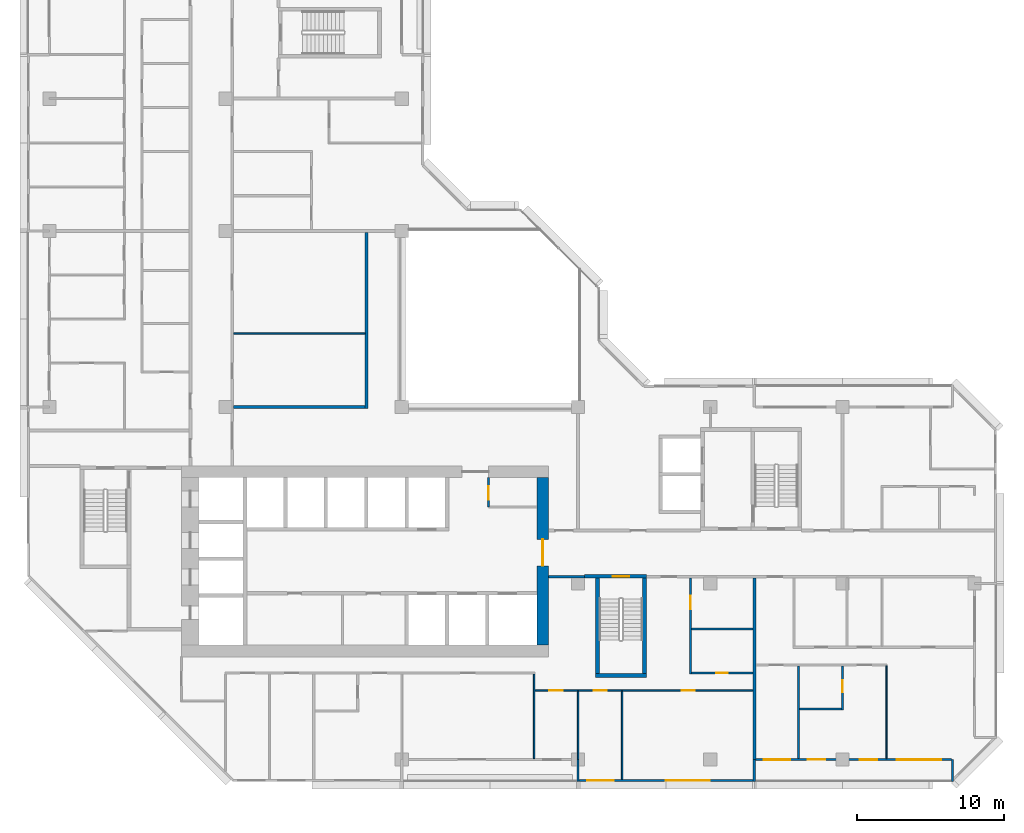
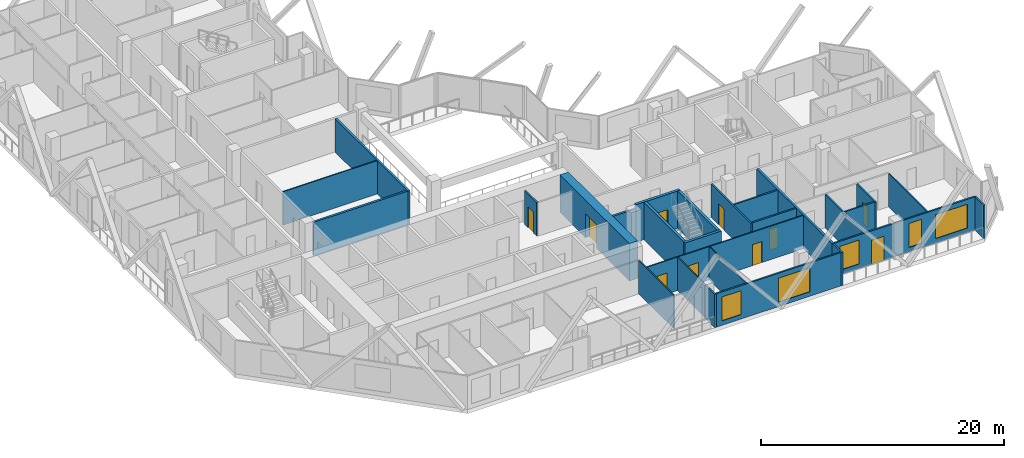
# One storey, part 6 of 15: 27 walls, 10 doors, 5 windows, 15 openings.
"""IFC4 building model written with IfcOpenShell, lengths in metres."""

from ifc_helpers import new_model, si_unit, direction, frame, frame_2d, origin, place, context, subcontext, project, spatial, rectangle, extrude, material, layer, layer_set, type_object, element, fill, save


model = new_model("IFC4")

# Units and contexts
model_context = context("Model", 3, precision=1e-05, world=origin(), true_north=direction((0.0, 1.0)))
body_context = subcontext(model_context, "Body", "Model", "MODEL_VIEW")
ifc_project = project(units=[si_unit("LENGTHUNIT", "METRE"), si_unit("AREAUNIT", "SQUARE_METRE"), si_unit("VOLUMEUNIT", "CUBIC_METRE"), si_unit("PLANEANGLEUNIT", "RADIAN"), si_unit("MASSUNIT", "GRAM", prefix="KILO")], contexts=[model_context])

# Site, building, storey
site_placement = place(None, origin())
site = spatial("IfcSite", under=ifc_project, at=site_placement, CompositionType="ELEMENT")
building_placement = place(site_placement, origin())
building = spatial("IfcBuilding", under=site, at=building_placement, Name="Chenar Terraces", CompositionType="ELEMENT")
storey_placement = place(building_placement, frame((0.0, 0.0, 172.39990234375)))
storey = spatial("IfcBuildingStorey", under=building, at=storey_placement, Name="L39", CompositionType="ELEMENT", Elevation=172.39990234375)

# Wall, opening, door
ifc_material_1 = material(Name="Gypsum board on steel studs", Category="steel")
ifc_layer_1 = layer(ifc_material_1, 0.14990234375)
ifc_layer_set_1 = layer_set([ifc_layer_1], Name="Gypsum board on steel studs")
wall_type_1 = type_object("IfcWallType", Name="Core partition 150 gypsum board", PredefinedType="PARTITIONING", material=ifc_layer_set_1)
wall_1_placement = place(storey_placement, frame((29.89990234375, 17.199951171875, 0.0), z_axis=(0.0, 0.0, 1.0), x_axis=(0.0, 1.0, 0.0)))
wall_1 = element("IfcWall", 1, at=wall_1_placement, inside=storey, type_object=wall_type_1, Name="Core partition CP1 vestibule room west wall", PredefinedType="PARTITIONING", context=body_context, shape_type="SweptSolid", body=[
    extrude(rectangle(XDim=2.0, YDim=0.14990234375, at=frame_2d((1.0, 0.0))), origin(), (0.0, 0.0, 1.0), 3.35009765625),
])
opening_1_placement = place(wall_1_placement, frame((0.5, 0.0, 0.0)))
opening_1 = element("IfcOpeningElement", 2, at=opening_1_placement, cuts=wall_1, Name="Opening DL39-C14", PredefinedType="OPENING", context=body_context, shape_type="SweptSolid", body=[
    extrude(rectangle(XDim=0.89990234375, YDim=2.10009765625, at=frame_2d((0.449951171875, 1.050048828125))), frame((0.0, 0.0849609375, 0.0), z_axis=(0.0, -1.0, 0.0), x_axis=(1.0, 0.0, 0.0)), (0.0, 0.0, 1.0), 0.169921875),
])
ifc_material_2 = material(Name="Steel-framed fire-resisting door leaf", Category="steel")
door_type_1 = type_object("IfcDoorType", Name="Riser fire door FD60 900 x 2100", OperationType="SINGLE_SWING_LEFT", PredefinedType="DOOR", material=ifc_material_2)
door_1_placement = place(opening_1_placement, frame((0.89990234375, 0.0, 0.0), z_axis=(0.0, 0.0, 1.0), x_axis=(-1.0, 0.0, 0.0)))
door_1 = element("IfcDoor", 3, at=door_1_placement, inside=storey, type_object=door_type_1, Name="Core room door DL39-C14", OperationType="SINGLE_SWING_RIGHT", OverallHeight=2.10009765625, OverallWidth=0.89990234375, PredefinedType="DOOR", context=body_context, shape_type="SweptSolid", body=[
    extrude(rectangle(XDim=0.89990234375, YDim=2.10009765625, at=frame_2d((0.449951171875, 1.050048828125))), frame((0.0, 0.02490234375, 0.0), z_axis=(0.0, -1.0, 0.0), x_axis=(1.0, 0.0, 0.0)), (0.0, 0.0, 1.0), 0.050048828125),
])
fill(opening_1, door_1)

# Wall
ifc_material_3 = material(Name="Concrete C60/75", Category="concrete")
ifc_layer_2 = layer(ifc_material_3, 0.25)
ifc_layer_set_2 = layer_set([ifc_layer_2], Name="Concrete C60/75")
wall_type_2 = type_object("IfcWallType", Name="Core wall 250 Concrete C60/75", PredefinedType="SHEAR", material=ifc_layer_set_2)
wall_2_placement = place(storey_placement, frame((37.199951171875, 5.72509765625, 0.0), z_axis=(0.0, 0.0, 1.0), x_axis=(1.0, 0.0, 0.0)))
element("IfcWall", 4, at=wall_2_placement, inside=storey, type_object=wall_type_2, Name="Core wall ST2_S L39", PredefinedType="SHEAR", context=body_context, shape_type="SweptSolid", body=[
    extrude(rectangle(XDim=3.449951171875, YDim=0.25, at=frame_2d((1.72509765625, 0.0))), origin(), (0.0, 0.0, 1.0), 3.75),
])

# Wall, opening, door
wall_3_placement = place(storey_placement, frame((36.449951171875, 12.47509765625, 0.0), z_axis=(0.0, 0.0, 1.0), x_axis=(1.0, 0.0, 0.0)))
wall_3 = element("IfcWall", 5, at=wall_3_placement, inside=storey, type_object=wall_type_2, Name="Core wall ST2_N L39", PredefinedType="SHEAR", context=body_context, shape_type="SweptSolid", body=[
    extrude(rectangle(XDim=4.199951171875, YDim=0.25, at=frame_2d((2.10009765625, 0.0))), origin(), (0.0, 0.0, 1.0), 3.75),
])
opening_2_placement = place(wall_3_placement, frame((1.925048828125, 0.0, 0.0)))
opening_2 = element("IfcOpeningElement", 6, at=opening_2_placement, cuts=wall_3, Name="Opening DL39-C7", PredefinedType="OPENING", context=body_context, shape_type="SweptSolid", body=[
    extrude(rectangle(XDim=1.10009765625, YDim=2.199951171875, at=frame_2d((0.550048828125, 1.10009765625))), frame((0.0, 0.135009765625, 0.0), z_axis=(0.0, -1.0, 0.0), x_axis=(1.0, 0.0, 0.0)), (0.0, 0.0, 1.0), 0.27001953125),
])
ifc_material_4 = material(Name="Steel-framed fire-resisting door leaf", Category="steel")
door_type_2 = type_object("IfcDoorType", Name="Stair fire door FD60 1100 x 2200", OperationType="SINGLE_SWING_LEFT", PredefinedType="DOOR", material=ifc_material_4)
door_2_placement = place(opening_2_placement, frame((1.10009765625, 0.0, 0.0), z_axis=(0.0, 0.0, 1.0), x_axis=(-1.0, 0.0, 0.0)))
door_2 = element("IfcDoor", 7, at=door_2_placement, inside=storey, type_object=door_type_2, Name="Stair door DL39-C7", OperationType="SINGLE_SWING_RIGHT", OverallHeight=2.199951171875, OverallWidth=1.10009765625, PredefinedType="DOOR", context=body_context, shape_type="SweptSolid", body=[
    extrude(rectangle(XDim=1.10009765625, YDim=2.199951171875, at=frame_2d((0.550048828125, 1.10009765625))), frame((0.0, 0.02490234375, 0.0), z_axis=(0.0, -1.0, 0.0), x_axis=(1.0, 0.0, 0.0)), (0.0, 0.0, 1.0), 0.050048828125),
])
fill(opening_2, door_2)

# Walls
for number, where, z_axis, x_axis, name in (
    (8, (37.324951171875, 5.85009765625, 0.0), (0.0, 0.0, 1.0), (0.0, 1.0, 0.0), "Core wall ST2_W L39"),
    (9, (40.52490234375, 5.85009765625, 0.0), (0.0, 0.0, 1.0), (0.0, 1.0, 0.0), "Core wall ST2_E L39"),
):
    element("IfcWall", number, at=place(storey_placement, frame(where, z_axis=z_axis, x_axis=x_axis)), inside=storey, type_object=wall_type_2, Name=name, PredefinedType="SHEAR", context=body_context, shape_type="SweptSolid", body=[
        extrude(rectangle(XDim=6.5, YDim=0.25, at=frame_2d((3.25, 0.0))), origin(), (0.0, 0.0, 1.0), 3.75),
    ])

# Wall, opening, door
ifc_material_5 = material(Name="Concrete C60/75", Category="concrete")
ifc_layer_3 = layer(ifc_material_5, 0.800048828125)
ifc_layer_set_3 = layer_set([ifc_layer_3], Name="Concrete C60/75")
wall_type_3 = type_object("IfcWallType", Name="Core wall 800 Concrete C60/75", PredefinedType="SHEAR", material=ifc_layer_set_3)
wall_4_placement = place(storey_placement, frame((33.60009765625, 7.800048828125, 0.0), z_axis=(0.0, 0.0, 1.0), x_axis=(0.0, 1.0, 0.0)))
wall_4 = element("IfcWall", 10, at=wall_4_placement, inside=storey, type_object=wall_type_3, Name="Core wall E L39", PredefinedType="SHEAR", context=body_context, shape_type="SweptSolid", body=[
    extrude(rectangle(XDim=11.39990234375, YDim=0.800048828125, at=frame_2d((5.699951171875, 0.0))), origin(), (0.0, 0.0, 1.0), 3.75),
])
opening_3_placement = place(wall_4_placement, frame((5.39990234375, 0.0, 0.0)))
opening_3 = element("IfcOpeningElement", 11, at=opening_3_placement, cuts=wall_4, Name="Opening DL39-C1", PredefinedType="OPENING", context=body_context, shape_type="SweptSolid", body=[
    extrude(rectangle(XDim=1.800048828125, YDim=2.39990234375, at=frame_2d((0.89990234375, 1.199951171875))), frame((0.0, 0.409912109375, 0.0), z_axis=(0.0, -1.0, 0.0), x_axis=(1.0, 0.0, 0.0)), (0.0, 0.0, 1.0), 0.820068359375),
])
ifc_material_6 = material(Name="Steel-framed fire-resisting door leaf", Category="steel")
door_type_3 = type_object("IfcDoorType", Name="Core entrance double fire door FD60 1800 x 2400", OperationType="DOUBLE_DOOR_SINGLE_SWING", PredefinedType="DOOR", material=ifc_material_6)
door_3_placement = place(opening_3_placement, origin())
door_3 = element("IfcDoor", 12, at=door_3_placement, inside=storey, type_object=door_type_3, Name="Core door DL39-C1", OperationType="DOUBLE_DOOR_SINGLE_SWING", OverallHeight=2.39990234375, OverallWidth=1.800048828125, PredefinedType="DOOR", context=body_context, shape_type="SweptSolid", body=[
    extrude(rectangle(XDim=1.800048828125, YDim=2.39990234375, at=frame_2d((0.89990234375, 1.199951171875))), frame((0.0, 0.02490234375, 0.0), z_axis=(0.0, -1.0, 0.0), x_axis=(1.0, 0.0, 0.0)), (0.0, 0.0, 1.0), 0.050048828125),
])
fill(opening_3, door_3)

# Walls
ifc_material_7 = material(Name="Gypsum board on steel studs with fire boards", Category="steel")
ifc_layer_4 = layer(ifc_material_7, 0.199951171875)
ifc_layer_set_4 = layer_set([ifc_layer_4], Name="Gypsum board on steel studs with fire boards")
wall_type_4 = type_object("IfcWallType", Name="Corridor wall 200", PredefinedType="PARTITIONING", material=ifc_layer_set_4)
wall_5_placement = place(storey_placement, frame((12.550048828125, 24.0, 0.0), z_axis=(0.0, 0.0, 1.0), x_axis=(1.0, 0.0, 0.0)))
element("IfcWall", 13, at=wall_5_placement, inside=storey, type_object=wall_type_4, Name="Partition L39-036", PredefinedType="PARTITIONING", context=body_context, shape_type="SweptSolid", body=[
    extrude(rectangle(XDim=8.949951171875, YDim=0.199951171875, at=frame_2d((4.47509765625, 0.0))), origin(), (0.0, 0.0, 1.0), 3.35009765625),
])
wall_6_placement = place(storey_placement, frame((21.60009765625, 23.89990234375, 0.0), z_axis=(0.0, 0.0, 1.0), x_axis=(0.0, 1.0, 0.0)))
element("IfcWall", 14, at=wall_6_placement, inside=storey, type_object=wall_type_4, Name="Partition L39-057", PredefinedType="PARTITIONING", context=body_context, shape_type="SweptSolid", body=[
    extrude(rectangle(XDim=12.0, YDim=0.199951171875, at=frame_2d((6.0, 0.0))), origin(), (0.0, 0.0, 1.0), 3.35009765625),
])
wall_7_placement = place(storey_placement, frame((34.0, 12.449951171875, 0.0), z_axis=(0.0, 0.0, 1.0), x_axis=(1.0, 0.0, 0.0)))
element("IfcWall", 15, at=wall_7_placement, inside=storey, type_object=wall_type_4, Name="Partition L39-061", PredefinedType="PARTITIONING", context=body_context, shape_type="SweptSolid", body=[
    extrude(rectangle(XDim=2.450927734375, YDim=0.199951171875, at=frame_2d((1.2255859375, 0.0))), origin(), (0.0, 0.0, 1.0), 3.35009765625),
])

# Wall, openings, windows
ifc_material_8 = material(Name="Aluminium framed glazing", Category="aluminium")
ifc_layer_5 = layer(ifc_material_8, 0.14990234375)
ifc_layer_set_5 = layer_set([ifc_layer_5], Name="Aluminium framed glazing")
wall_type_5 = type_object("IfcWallType", Name="Glazed flush facade wall 150", PredefinedType="SOLIDWALL", material=ifc_layer_set_5)
wall_8_placement = place(storey_placement, frame((36.074951171875, -1.425048828125, 0.0), z_axis=(0.0, 0.0, 1.0), x_axis=(1.0, 0.0, 0.0)))
wall_8 = element("IfcWall", 16, at=wall_8_placement, inside=storey, type_object=wall_type_5, Name="Glazed flush facade wall", PredefinedType="SOLIDWALL", context=body_context, shape_type="SweptSolid", body=[
    extrude(rectangle(XDim=11.85009765625, YDim=0.14990234375, at=frame_2d((5.925048828125, 0.0))), origin(), (0.0, 0.0, 1.0), 3.35009765625),
])
opening_4_placement = place(wall_8_placement, frame((0.5625, 0.0, 0.449951171875)))
opening_4 = element("IfcOpeningElement", 17, at=opening_4_placement, cuts=wall_8, Name="Opening W180x240", PredefinedType="OPENING", context=body_context, shape_type="SweptSolid", body=[
    extrude(rectangle(XDim=1.800048828125, YDim=2.39990234375, at=frame_2d((0.89990234375, 1.199951171875))), frame((0.0, 0.0849609375, 0.0), z_axis=(0.0, -1.0, 0.0), x_axis=(1.0, 0.0, 0.0)), (0.0, 0.0, 1.0), 0.169921875),
])
opening_5_placement = place(wall_8_placement, frame((5.887451171875, 0.0, 0.449951171875)))
opening_5 = element("IfcOpeningElement", 18, at=opening_5_placement, cuts=wall_8, Name="Opening W300x240", PredefinedType="OPENING", context=body_context, shape_type="SweptSolid", body=[
    extrude(rectangle(XDim=3.0, YDim=2.39990234375, at=frame_2d((1.5, 1.199951171875))), frame((0.0, 0.0849609375, 0.0), z_axis=(0.0, -1.0, 0.0), x_axis=(1.0, 0.0, 0.0)), (0.0, 0.0, 1.0), 0.169921875),
])
ifc_material_9 = material(Name="Low emissivity double glazing, aluminium frame", Category="aluminium")
window_type_1 = type_object("IfcWindowType", Name="Fixed light 1800 x 2400", PartitioningType="SINGLE_PANEL", PredefinedType="WINDOW", material=ifc_material_9)
window_1_placement = place(opening_4_placement, origin())
window_1 = element("IfcWindow", 19, at=window_1_placement, inside=storey, type_object=window_type_1, Name="Window", OverallHeight=2.39990234375, OverallWidth=1.800048828125, PartitioningType="SINGLE_PANEL", PredefinedType="WINDOW", context=body_context, shape_type="SweptSolid", body=[
    extrude(rectangle(XDim=1.800048828125, YDim=2.39990234375, at=frame_2d((0.89990234375, 1.199951171875))), frame((0.0, 0.030029296875, 0.0), z_axis=(0.0, -1.0, 0.0), x_axis=(1.0, 0.0, 0.0)), (0.0, 0.0, 1.0), 0.06005859375),
])
fill(opening_4, window_1)
ifc_material_10 = material(Name="Low emissivity double glazing, aluminium frame", Category="aluminium")
window_type_2 = type_object("IfcWindowType", Name="Fixed light 3000 x 2400", PartitioningType="SINGLE_PANEL", PredefinedType="WINDOW", material=ifc_material_10)
window_2_placement = place(opening_5_placement, origin())
window_2 = element("IfcWindow", 20, at=window_2_placement, inside=storey, type_object=window_type_2, Name="Window", OverallHeight=2.39990234375, OverallWidth=3.0, PartitioningType="SINGLE_PANEL", PredefinedType="WINDOW", context=body_context, shape_type="SweptSolid", body=[
    extrude(rectangle(XDim=3.0, YDim=2.39990234375, at=frame_2d((1.5, 1.199951171875))), frame((0.0, 0.030029296875, 0.0), z_axis=(0.0, -1.0, 0.0), x_axis=(1.0, 0.0, 0.0)), (0.0, 0.0, 1.0), 0.06005859375),
])
fill(opening_5, window_2)

# Wall, openings, windows, door
ifc_material_11 = material(Name="Aluminium framed glazing", Category="aluminium")
ifc_layer_6 = layer(ifc_material_11, 0.14990234375)
ifc_layer_set_6 = layer_set([ifc_layer_6], Name="Aluminium framed glazing")
wall_type_6 = type_object("IfcWallType", Name="Glazed loggia back wall 150", PredefinedType="SOLIDWALL", material=ifc_layer_set_6)
wall_9_placement = place(storey_placement, frame((48.074951171875, 0.0, 0.0), z_axis=(0.0, 0.0, 1.0), x_axis=(1.0, 0.0, 0.0)))
wall_9 = element("IfcWall", 21, at=wall_9_placement, inside=storey, type_object=wall_type_6, Name="Glazed loggia back wall", PredefinedType="SOLIDWALL", context=body_context, shape_type="SweptSolid", body=[
    extrude(rectangle(XDim=13.35009765625, YDim=0.14990234375, at=frame_2d((6.675048828125, 0.0))), origin(), (0.0, 0.0, 1.0), 3.35009765625),
])
opening_6_placement = place(wall_9_placement, frame((0.5625, 0.0, 0.449951171875)))
opening_6 = element("IfcOpeningElement", 22, at=opening_6_placement, cuts=wall_9, Name="Opening W180x240", PredefinedType="OPENING", context=body_context, shape_type="SweptSolid", body=[
    extrude(rectangle(XDim=1.800048828125, YDim=2.39990234375, at=frame_2d((0.89990234375, 1.199951171875))), frame((0.0, 0.0849609375, 0.0), z_axis=(0.0, -1.0, 0.0), x_axis=(1.0, 0.0, 0.0)), (0.0, 0.0, 1.0), 0.169921875),
])
opening_7_placement = place(wall_9_placement, frame((3.550048828125, 0.0, 0.0)))
opening_7 = element("IfcOpeningElement", 23, at=opening_7_placement, cuts=wall_9, Name="Opening DL39-G7", PredefinedType="OPENING", context=body_context, shape_type="SweptSolid", body=[
    extrude(rectangle(XDim=1.199951171875, YDim=2.39990234375, at=frame_2d((0.60009765625, 1.199951171875))), frame((0.0, 0.0849609375, 0.0), z_axis=(0.0, -1.0, 0.0), x_axis=(1.0, 0.0, 0.0)), (0.0, 0.0, 1.0), 0.169921875),
])
opening_8_placement = place(wall_9_placement, frame((7.10009765625, 0.0, 0.449951171875)))
opening_8 = element("IfcOpeningElement", 24, at=opening_8_placement, cuts=wall_9, Name="Opening W120x240", PredefinedType="OPENING", context=body_context, shape_type="SweptSolid", body=[
    extrude(rectangle(XDim=1.199951171875, YDim=2.39990234375, at=frame_2d((0.60009765625, 1.199951171875))), frame((0.0, 0.0849609375, 0.0), z_axis=(0.0, -1.0, 0.0), x_axis=(1.0, 0.0, 0.0)), (0.0, 0.0, 1.0), 0.169921875),
])
opening_9_placement = place(wall_9_placement, frame((9.637451171875, 0.0, 0.449951171875)))
opening_9 = element("IfcOpeningElement", 25, at=opening_9_placement, cuts=wall_9, Name="Opening W300x240", PredefinedType="OPENING", context=body_context, shape_type="SweptSolid", body=[
    extrude(rectangle(XDim=3.0, YDim=2.39990234375, at=frame_2d((1.5, 1.199951171875))), frame((0.0, 0.0849609375, 0.0), z_axis=(0.0, -1.0, 0.0), x_axis=(1.0, 0.0, 0.0)), (0.0, 0.0, 1.0), 0.169921875),
])
ifc_material_12 = material(Name="Low emissivity double glazing, aluminium frame", Category="aluminium")
window_type_3 = type_object("IfcWindowType", Name="Fixed light 1200 x 2400", PartitioningType="SINGLE_PANEL", PredefinedType="WINDOW", material=ifc_material_12)
window_3_placement = place(opening_8_placement, origin())
window_3 = element("IfcWindow", 26, at=window_3_placement, inside=storey, type_object=window_type_3, Name="Window", OverallHeight=2.39990234375, OverallWidth=1.199951171875, PartitioningType="SINGLE_PANEL", PredefinedType="WINDOW", context=body_context, shape_type="SweptSolid", body=[
    extrude(rectangle(XDim=1.199951171875, YDim=2.39990234375, at=frame_2d((0.60009765625, 1.199951171875))), frame((0.0, 0.030029296875, 0.0), z_axis=(0.0, -1.0, 0.0), x_axis=(1.0, 0.0, 0.0)), (0.0, 0.0, 1.0), 0.06005859375),
])
fill(opening_8, window_3)
window_4_placement = place(opening_6_placement, origin())
window_4 = element("IfcWindow", 27, at=window_4_placement, inside=storey, type_object=window_type_1, Name="Window", OverallHeight=2.39990234375, OverallWidth=1.800048828125, PartitioningType="SINGLE_PANEL", PredefinedType="WINDOW", context=body_context, shape_type="SweptSolid", body=[
    extrude(rectangle(XDim=1.800048828125, YDim=2.39990234375, at=frame_2d((0.89990234375, 1.199951171875))), frame((0.0, 0.030029296875, 0.0), z_axis=(0.0, -1.0, 0.0), x_axis=(1.0, 0.0, 0.0)), (0.0, 0.0, 1.0), 0.06005859375),
])
fill(opening_6, window_4)
window_5_placement = place(opening_9_placement, origin())
window_5 = element("IfcWindow", 28, at=window_5_placement, inside=storey, type_object=window_type_2, Name="Window", OverallHeight=2.39990234375, OverallWidth=3.0, PartitioningType="SINGLE_PANEL", PredefinedType="WINDOW", context=body_context, shape_type="SweptSolid", body=[
    extrude(rectangle(XDim=3.0, YDim=2.39990234375, at=frame_2d((1.5, 1.199951171875))), frame((0.0, 0.030029296875, 0.0), z_axis=(0.0, -1.0, 0.0), x_axis=(1.0, 0.0, 0.0)), (0.0, 0.0, 1.0), 0.06005859375),
])
fill(opening_9, window_5)
ifc_material_13 = material(Name="Low emissivity double glazing, aluminium frame", Category="aluminium")
door_type_4 = type_object("IfcDoorType", Name="Loggia glazed double door 1200 x 2400", OperationType="DOUBLE_DOOR_SINGLE_SWING", PredefinedType="DOOR", material=ifc_material_13)
door_4_placement = place(opening_7_placement, frame((1.199951171875, 0.0, 0.0), z_axis=(0.0, 0.0, 1.0), x_axis=(-1.0, 0.0, 0.0)))
door_4 = element("IfcDoor", 29, at=door_4_placement, inside=storey, type_object=door_type_4, Name="Loggia glazed door", OperationType="DOUBLE_DOOR_SINGLE_SWING", OverallHeight=2.39990234375, OverallWidth=1.199951171875, PredefinedType="DOOR", context=body_context, shape_type="SweptSolid", body=[
    extrude(rectangle(XDim=1.199951171875, YDim=2.39990234375, at=frame_2d((0.60009765625, 1.199951171875))), frame((0.0, 0.02490234375, 0.0), z_axis=(0.0, -1.0, 0.0), x_axis=(1.0, 0.0, 0.0)), (0.0, 0.0, 1.0), 0.050048828125),
])
fill(opening_7, door_4)

# Walls
ifc_material_14 = material(Name="Gypsum board on steel studs", Category="steel")
ifc_layer_7 = layer(ifc_material_14, 0.10009765625)
ifc_layer_set_7 = layer_set([ifc_layer_7], Name="Gypsum board on steel studs")
wall_type_7 = type_object("IfcWallType", Name="Gypsum partition 100", PredefinedType="PARTITIONING", material=ifc_layer_set_7)
wall_10_placement = place(storey_placement, frame((12.550048828125, 29.0, 0.0), z_axis=(0.0, 0.0, 1.0), x_axis=(1.0, 0.0, 0.0)))
element("IfcWall", 30, at=wall_10_placement, inside=storey, type_object=wall_type_7, Name="Partition L39-037", PredefinedType="PARTITIONING", context=body_context, shape_type="SweptSolid", body=[
    extrude(rectangle(XDim=8.949951171875, YDim=0.10009765625, at=frame_2d((4.47509765625, 0.0))), origin(), (0.0, 0.0, 1.0), 3.35009765625),
])
wall_11_placement = place(storey_placement, frame((33.0, 0.073974609375, 0.0), z_axis=(0.0, 0.0, 1.0), x_axis=(0.0, 1.0, 0.0)))
element("IfcWall", 31, at=wall_11_placement, inside=storey, type_object=wall_type_7, Name="Partition L39-059", PredefinedType="PARTITIONING", context=body_context, shape_type="SweptSolid", body=[
    extrude(rectangle(XDim=5.7509765625, YDim=0.10009765625, at=frame_2d((2.87548828125, 0.0))), origin(), (0.0, 0.0, 1.0), 3.35009765625),
])

# Wall, openings, doors
wall_12_placement = place(storey_placement, frame((33.050048828125, 4.699951171875, 0.0), z_axis=(0.0, 0.0, 1.0), x_axis=(1.0, 0.0, 0.0)))
wall_12 = element("IfcWall", 32, at=wall_12_placement, inside=storey, type_object=wall_type_7, Name="Partition L39-060", PredefinedType="PARTITIONING", context=body_context, shape_type="SweptSolid", body=[
    extrude(rectangle(XDim=14.849853515625, YDim=0.10009765625, at=frame_2d((7.4248046875, 0.0))), origin(), (0.0, 0.0, 1.0), 3.35009765625),
])
opening_10_placement = place(wall_12_placement, frame((1.0, 0.0, 0.0)))
opening_10 = element("IfcOpeningElement", 33, at=opening_10_placement, cuts=wall_12, Name="Opening DL39-47", PredefinedType="OPENING", context=body_context, shape_type="SweptSolid", body=[
    extrude(rectangle(XDim=0.89990234375, YDim=2.10009765625, at=frame_2d((0.449951171875, 1.050048828125))), frame((0.0, 0.06005859375, 0.0), z_axis=(0.0, -1.0, 0.0), x_axis=(1.0, 0.0, 0.0)), (0.0, 0.0, 1.0), 0.1201171875),
])
opening_11_placement = place(wall_12_placement, frame((4.0, 0.0, 0.0)))
opening_11 = element("IfcOpeningElement", 34, at=opening_11_placement, cuts=wall_12, Name="Opening DL39-48", PredefinedType="OPENING", context=body_context, shape_type="SweptSolid", body=[
    extrude(rectangle(XDim=0.89990234375, YDim=2.10009765625, at=frame_2d((0.449951171875, 1.050048828125))), frame((0.0, 0.06005859375, 0.0), z_axis=(0.0, -1.0, 0.0), x_axis=(1.0, 0.0, 0.0)), (0.0, 0.0, 1.0), 0.1201171875),
])
opening_12_placement = place(wall_12_placement, frame((10.0, 0.0, 0.0)))
opening_12 = element("IfcOpeningElement", 35, at=opening_12_placement, cuts=wall_12, Name="Opening DL39-56", PredefinedType="OPENING", context=body_context, shape_type="SweptSolid", body=[
    extrude(rectangle(XDim=0.89990234375, YDim=2.10009765625, at=frame_2d((0.449951171875, 1.050048828125))), frame((0.0, 0.06005859375, 0.0), z_axis=(0.0, -1.0, 0.0), x_axis=(1.0, 0.0, 0.0)), (0.0, 0.0, 1.0), 0.1201171875),
])
ifc_material_15 = material(Name="Veneered timber door leaf", Category="wood")
door_type_5 = type_object("IfcDoorType", Name="Door 900 x 2100", OperationType="SINGLE_SWING_LEFT", PredefinedType="DOOR", material=ifc_material_15)
door_5_placement = place(opening_10_placement, frame((0.89990234375, 0.0, 0.0), z_axis=(0.0, 0.0, 1.0), x_axis=(-1.0, 0.0, 0.0)))
door_5 = element("IfcDoor", 36, at=door_5_placement, inside=storey, type_object=door_type_5, Name="Door DL39-47", OperationType="SINGLE_SWING_LEFT", OverallHeight=2.10009765625, OverallWidth=0.89990234375, PredefinedType="DOOR", context=body_context, shape_type="SweptSolid", body=[
    extrude(rectangle(XDim=0.89990234375, YDim=2.10009765625, at=frame_2d((0.449951171875, 1.050048828125))), frame((0.0, 0.02490234375, 0.0), z_axis=(0.0, -1.0, 0.0), x_axis=(1.0, 0.0, 0.0)), (0.0, 0.0, 1.0), 0.050048828125),
])
fill(opening_10, door_5)
door_6_placement = place(opening_11_placement, frame((0.89990234375, 0.0, 0.0), z_axis=(0.0, 0.0, 1.0), x_axis=(-1.0, 0.0, 0.0)))
door_6 = element("IfcDoor", 37, at=door_6_placement, inside=storey, type_object=door_type_5, Name="Door DL39-48", OperationType="SINGLE_SWING_LEFT", OverallHeight=2.10009765625, OverallWidth=0.89990234375, PredefinedType="DOOR", context=body_context, shape_type="SweptSolid", body=[
    extrude(rectangle(XDim=0.89990234375, YDim=2.10009765625, at=frame_2d((0.449951171875, 1.050048828125))), frame((0.0, 0.02490234375, 0.0), z_axis=(0.0, -1.0, 0.0), x_axis=(1.0, 0.0, 0.0)), (0.0, 0.0, 1.0), 0.050048828125),
])
fill(opening_11, door_6)
door_7_placement = place(opening_12_placement, frame((0.89990234375, 0.0, 0.0), z_axis=(0.0, 0.0, 1.0), x_axis=(-1.0, 0.0, 0.0)))
door_7 = element("IfcDoor", 38, at=door_7_placement, inside=storey, type_object=door_type_5, Name="Door DL39-56", OperationType="SINGLE_SWING_LEFT", OverallHeight=2.10009765625, OverallWidth=0.89990234375, PredefinedType="DOOR", context=body_context, shape_type="SweptSolid", body=[
    extrude(rectangle(XDim=0.89990234375, YDim=2.10009765625, at=frame_2d((0.449951171875, 1.050048828125))), frame((0.0, 0.02490234375, 0.0), z_axis=(0.0, -1.0, 0.0), x_axis=(1.0, 0.0, 0.0)), (0.0, 0.0, 1.0), 0.050048828125),
])
fill(opening_12, door_7)

# Walls
wall_13_placement = place(storey_placement, frame((36.0, 0.0, 0.0), z_axis=(0.0, 0.0, 1.0), x_axis=(0.0, 1.0, 0.0)))
element("IfcWall", 39, at=wall_13_placement, inside=storey, type_object=wall_type_7, Name="Partition L39-063", PredefinedType="PARTITIONING", context=body_context, shape_type="SweptSolid", body=[
    extrude(rectangle(XDim=4.64990234375, YDim=0.10009765625, at=frame_2d((2.324951171875, 0.0))), origin(), (0.0, 0.0, 1.0), 3.35009765625),
])
wall_14_placement = place(storey_placement, frame((39.0, -1.35009765625, 0.0), z_axis=(0.0, 0.0, 1.0), x_axis=(0.0, 1.0, 0.0)))
element("IfcWall", 40, at=wall_14_placement, inside=storey, type_object=wall_type_7, Name="Partition L39-065", PredefinedType="PARTITIONING", context=body_context, shape_type="SweptSolid", body=[
    extrude(rectangle(XDim=6.0, YDim=0.10009765625, at=frame_2d((3.0, 0.0))), origin(), (0.0, 0.0, 1.0), 3.35009765625),
])
wall_15_placement = place(storey_placement, frame((57.0, 0.073974609375, 0.0), z_axis=(0.0, 0.0, 1.0), x_axis=(0.0, 1.0, 0.0)))
element("IfcWall", 41, at=wall_15_placement, inside=storey, type_object=wall_type_7, Name="Partition L39-084", PredefinedType="PARTITIONING", context=body_context, shape_type="SweptSolid", body=[
    extrude(rectangle(XDim=6.301025390625, YDim=0.10009765625, at=frame_2d((3.150390625, 0.0))), origin(), (0.0, 0.0, 1.0), 3.35009765625),
])
ifc_material_16 = material(Name="Terracotta cladding on insulated backing", Category="masonry")
ifc_layer_8 = layer(ifc_material_16, 0.14990234375)
ifc_layer_set_8 = layer_set([ifc_layer_8], Name="Terracotta cladding on insulated backing")
wall_type_8 = type_object("IfcWallType", Name="Loggia return wall 150", PredefinedType="SOLIDWALL", material=ifc_layer_set_8)
for number, where, z_axis, x_axis, name in (
    (42, (36.0, -1.5, 0.0), (0.0, 0.0, 1.0), (0.0, 1.0, 0.0), "Loggia return wall"),
    (43, (48.0, -1.5, 0.0), (0.0, 0.0, 1.0), (0.0, 1.0, 0.0), "Loggia return wall"),
    (44, (61.5, -1.5, 0.0), (0.0, 0.0, 1.0), (0.0, 1.0, 0.0), "Loggia return wall"),
):
    element("IfcWall", number, at=place(storey_placement, frame(where, z_axis=z_axis, x_axis=x_axis)), inside=storey, type_object=wall_type_8, Name=name, PredefinedType="SOLIDWALL", context=body_context, shape_type="SweptSolid", body=[
        extrude(rectangle(XDim=1.5, YDim=0.14990234375, at=frame_2d((0.75, 0.0))), origin(), (0.0, 0.0, 1.0), 3.35009765625),
    ])
ifc_material_17 = material(Name="Twin gypsum board on steel studs with mineral wool", Category="steel")
ifc_layer_9 = layer(ifc_material_17, 0.199951171875)
ifc_layer_set_9 = layer_set([ifc_layer_9], Name="Twin gypsum board on steel studs with mineral wool")
wall_type_9 = type_object("IfcWallType", Name="Unit demising wall 200", PredefinedType="PARTITIONING", material=ifc_layer_set_9)
wall_16_placement = place(storey_placement, frame((48.0, 0.0, 0.0), z_axis=(0.0, 0.0, 1.0), x_axis=(0.0, 1.0, 0.0)))
element("IfcWall", 45, at=wall_16_placement, inside=storey, type_object=wall_type_9, Name="Partition L39-071", PredefinedType="PARTITIONING", context=body_context, shape_type="SweptSolid", body=[
    extrude(rectangle(XDim=12.35009765625, YDim=0.199951171875, at=frame_2d((6.175048828125, 0.0))), origin(), (0.0, 0.0, 1.0), 3.35009765625),
])

# Wall, opening, door
ifc_material_18 = material(Name="Moisture-resistant gypsum board on steel studs", Category="steel")
ifc_layer_10 = layer(ifc_material_18, 0.14990234375)
ifc_layer_set_10 = layer_set([ifc_layer_10], Name="Moisture-resistant gypsum board on steel studs")
wall_type_10 = type_object("IfcWallType", Name="Wet-room partition 150", PredefinedType="PARTITIONING", material=ifc_layer_set_10)
wall_17_placement = place(storey_placement, frame((43.64990234375, 5.824951171875, 0.0), z_axis=(0.0, 0.0, 1.0), x_axis=(0.0, 1.0, 0.0)))
wall_17 = element("IfcWall", 46, at=wall_17_placement, inside=storey, type_object=wall_type_10, Name="Partition L39-067", PredefinedType="PARTITIONING", context=body_context, shape_type="SweptSolid", body=[
    extrude(rectangle(XDim=6.525146484375, YDim=0.14990234375, at=frame_2d((3.2626953125, 0.0))), origin(), (0.0, 0.0, 1.0), 3.35009765625),
])
opening_13_placement = place(wall_17_placement, frame((4.425048828125, 0.0, 0.0)))
opening_13 = element("IfcOpeningElement", 47, at=opening_13_placement, cuts=wall_17, Name="Opening DL39-54", PredefinedType="OPENING", context=body_context, shape_type="SweptSolid", body=[
    extrude(rectangle(XDim=0.89990234375, YDim=2.10009765625, at=frame_2d((0.449951171875, 1.050048828125))), frame((0.0, 0.0849609375, 0.0), z_axis=(0.0, -1.0, 0.0), x_axis=(1.0, 0.0, 0.0)), (0.0, 0.0, 1.0), 0.169921875),
])
door_8_placement = place(opening_13_placement, frame((0.89990234375, 0.0, 0.0), z_axis=(0.0, 0.0, 1.0), x_axis=(-1.0, 0.0, 0.0)))
door_8 = element("IfcDoor", 48, at=door_8_placement, inside=storey, type_object=door_type_5, Name="Door DL39-54", OperationType="SINGLE_SWING_LEFT", OverallHeight=2.10009765625, OverallWidth=0.89990234375, PredefinedType="DOOR", context=body_context, shape_type="SweptSolid", body=[
    extrude(rectangle(XDim=0.89990234375, YDim=2.10009765625, at=frame_2d((0.449951171875, 1.050048828125))), frame((0.0, 0.02490234375, 0.0), z_axis=(0.0, -1.0, 0.0), x_axis=(1.0, 0.0, 0.0)), (0.0, 0.0, 1.0), 0.050048828125),
])
fill(opening_13, door_8)

wall_18_placement = place(storey_placement, frame((43.72509765625, 5.89990234375, 0.0), z_axis=(0.0, 0.0, 1.0), x_axis=(1.0, 0.0, 0.0)))
wall_18 = element("IfcWall", 49, at=wall_18_placement, inside=storey, type_object=wall_type_10, Name="Partition L39-068", PredefinedType="PARTITIONING", context=body_context, shape_type="SweptSolid", body=[
    extrude(rectangle(XDim=4.1748046875, YDim=0.14990234375, at=frame_2d((2.08740234375, 0.0))), origin(), (0.0, 0.0, 1.0), 3.35009765625),
])
opening_14_placement = place(wall_18_placement, frame((1.675048828125, 0.0, 0.0)))
opening_14 = element("IfcOpeningElement", 50, at=opening_14_placement, cuts=wall_18, Name="Opening DL39-44", PredefinedType="OPENING", context=body_context, shape_type="SweptSolid", body=[
    extrude(rectangle(XDim=0.800048828125, YDim=2.10009765625, at=frame_2d((0.39990234375, 1.050048828125))), frame((0.0, 0.0849609375, 0.0), z_axis=(0.0, -1.0, 0.0), x_axis=(1.0, 0.0, 0.0)), (0.0, 0.0, 1.0), 0.169921875),
])
ifc_material_19 = material(Name="Veneered timber door leaf", Category="wood")
door_type_6 = type_object("IfcDoorType", Name="Door 800 x 2100", OperationType="SINGLE_SWING_LEFT", PredefinedType="DOOR", material=ifc_material_19)
door_9_placement = place(opening_14_placement, origin())
door_9 = element("IfcDoor", 51, at=door_9_placement, inside=storey, type_object=door_type_6, Name="Door DL39-44", OperationType="SINGLE_SWING_LEFT", OverallHeight=2.10009765625, OverallWidth=0.800048828125, PredefinedType="DOOR", context=body_context, shape_type="SweptSolid", body=[
    extrude(rectangle(XDim=0.800048828125, YDim=2.10009765625, at=frame_2d((0.39990234375, 1.050048828125))), frame((0.0, 0.02490234375, 0.0), z_axis=(0.0, -1.0, 0.0), x_axis=(1.0, 0.0, 0.0)), (0.0, 0.0, 1.0), 0.050048828125),
])
fill(opening_14, door_9)

# Walls
wall_19_placement = place(storey_placement, frame((43.72509765625, 8.89990234375, 0.0), z_axis=(0.0, 0.0, 1.0), x_axis=(1.0, 0.0, 0.0)))
element("IfcWall", 52, at=wall_19_placement, inside=storey, type_object=wall_type_10, Name="Partition L39-069", PredefinedType="PARTITIONING", context=body_context, shape_type="SweptSolid", body=[
    extrude(rectangle(XDim=4.1748046875, YDim=0.14990234375, at=frame_2d((2.08740234375, 0.0))), origin(), (0.0, 0.0, 1.0), 3.35009765625),
])
wall_20_placement = place(storey_placement, frame((51.0, 0.073974609375, 0.0), z_axis=(0.0, 0.0, 1.0), x_axis=(0.0, 1.0, 0.0)))
element("IfcWall", 53, at=wall_20_placement, inside=storey, type_object=wall_type_10, Name="Partition L39-075", PredefinedType="PARTITIONING", context=body_context, shape_type="SweptSolid", body=[
    extrude(rectangle(XDim=6.301025390625, YDim=0.14990234375, at=frame_2d((3.150390625, 0.0))), origin(), (0.0, 0.0, 1.0), 3.35009765625),
])
wall_21_placement = place(storey_placement, frame((51.074951171875, 3.449951171875, 0.0), z_axis=(0.0, 0.0, 1.0), x_axis=(1.0, 0.0, 0.0)))
element("IfcWall", 54, at=wall_21_placement, inside=storey, type_object=wall_type_10, Name="Partition L39-076", PredefinedType="PARTITIONING", context=body_context, shape_type="SweptSolid", body=[
    extrude(rectangle(XDim=2.85009765625, YDim=0.14990234375, at=frame_2d((1.425048828125, 0.0))), origin(), (0.0, 0.0, 1.0), 3.35009765625),
])

# Wall, opening, door
wall_22_placement = place(storey_placement, frame((54.0, 3.375, 0.0), z_axis=(0.0, 0.0, 1.0), x_axis=(0.0, 1.0, 0.0)))
wall_22 = element("IfcWall", 55, at=wall_22_placement, inside=storey, type_object=wall_type_10, Name="Partition L39-078", PredefinedType="PARTITIONING", context=body_context, shape_type="SweptSolid", body=[
    extrude(rectangle(XDim=3.0, YDim=0.14990234375, at=frame_2d((1.5, 0.0))), origin(), (0.0, 0.0, 1.0), 3.35009765625),
])
opening_15_placement = place(wall_22_placement, frame((1.22509765625, 0.0, 0.0)))
opening_15 = element("IfcOpeningElement", 56, at=opening_15_placement, cuts=wall_22, Name="Opening DL39-11", PredefinedType="OPENING", context=body_context, shape_type="SweptSolid", body=[
    extrude(rectangle(XDim=0.800048828125, YDim=2.10009765625, at=frame_2d((0.39990234375, 1.050048828125))), frame((0.0, 0.0849609375, 0.0), z_axis=(0.0, -1.0, 0.0), x_axis=(1.0, 0.0, 0.0)), (0.0, 0.0, 1.0), 0.169921875),
])
door_10_placement = place(opening_15_placement, origin())
door_10 = element("IfcDoor", 57, at=door_10_placement, inside=storey, type_object=door_type_6, Name="Door DL39-11", OperationType="SINGLE_SWING_RIGHT", OverallHeight=2.10009765625, OverallWidth=0.800048828125, PredefinedType="DOOR", context=body_context, shape_type="SweptSolid", body=[
    extrude(rectangle(XDim=0.800048828125, YDim=2.10009765625, at=frame_2d((0.39990234375, 1.050048828125))), frame((0.0, 0.02490234375, 0.0), z_axis=(0.0, -1.0, 0.0), x_axis=(1.0, 0.0, 0.0)), (0.0, 0.0, 1.0), 0.050048828125),
])
fill(opening_15, door_10)

save(model, "model.ifc")
